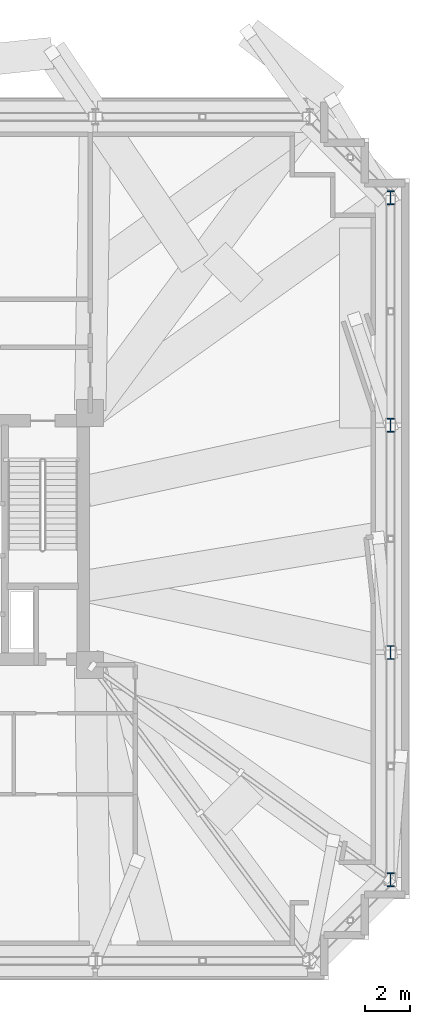
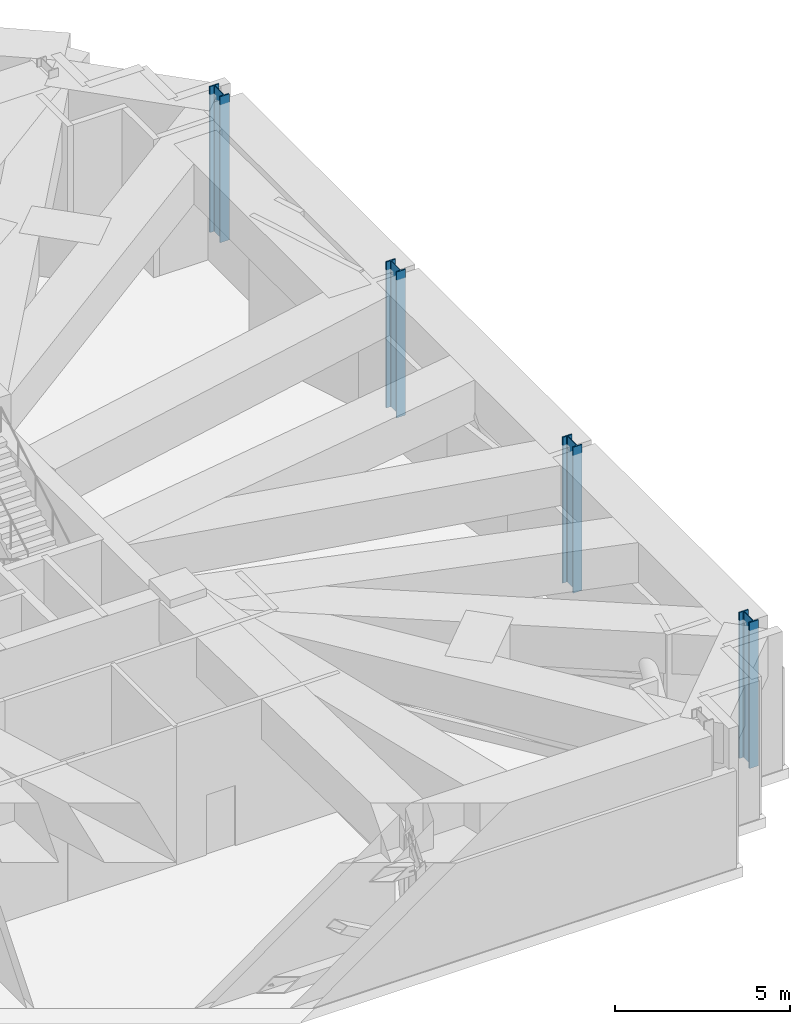
# One storey, part 3 of 20: 4 columns.
"""IFC4 building model written with IfcOpenShell, lengths in metres."""

from ifc_helpers import new_model, si_unit, direction, frame, origin, origin_2d, place, context, subcontext, project, spatial, i_section, extrude, material, material_profile, profile_set, type_object, element, save


model = new_model("IFC4")

# Units and contexts
model_context = context("Model", 3, precision=1e-05, world=origin(), true_north=direction((0.0, 1.0)))
body_context = subcontext(model_context, "Body", "Model", "MODEL_VIEW")
ifc_project = project(units=[si_unit("LENGTHUNIT", "METRE"), si_unit("AREAUNIT", "SQUARE_METRE"), si_unit("VOLUMEUNIT", "CUBIC_METRE"), si_unit("PLANEANGLEUNIT", "RADIAN"), si_unit("MASSUNIT", "GRAM", prefix="KILO")], contexts=[model_context])

# Site, building, storey
site_placement = place(None, origin())
site = spatial("IfcSite", under=ifc_project, at=site_placement, CompositionType="ELEMENT")
building_placement = place(site_placement, origin())
building = spatial("IfcBuilding", under=site, at=building_placement, Name="Qobustan Lattice House", CompositionType="ELEMENT")
storey_placement = place(building_placement, frame((0.0, 0.0, 73.89990234375)))
storey = spatial("IfcBuildingStorey", under=building, at=storey_placement, Name="L20", CompositionType="ELEMENT", Elevation=73.89990234375)

# Columns
ifc_material = material(Name="Steel S460", Category="steel")
ifc_material_profile = material_profile(ifc_material, i_section(OverallWidth=0.304931640625, OverallDepth=0.6201171875, WebThickness=0.02099609375, FlangeThickness=0.0400390625, FilletRadius=0.027099609375, at=origin_2d()), Name="HEM600")
ifc_profile_set = profile_set([ifc_material_profile], Name="Steel S460")
column_type = type_object("IfcColumnType", Name="COL-ST-HEM600", PredefinedType="COLUMN", material=ifc_profile_set)
for number, where, z_axis, x_axis, name in (
    (1, (32.14990234375, -15.14990234375, 0.0), (0.0, 0.0, 1.0), (1.0, 0.0, 0.0), "L20 B1 perimeter column E1"),
    (2, (32.14990234375, -5.050048828125, 0.0), (0.0, 0.0, 1.0), (1.0, 0.0, 0.0), "L20 B1 perimeter column E2"),
    (3, (32.14990234375, 5.050048828125, 0.0), (0.0, 0.0, 1.0), (1.0, 0.0, 0.0), "L20 B1 perimeter column E3"),
    (4, (32.14990234375, 15.14990234375, 0.0), (0.0, 0.0, 1.0), (1.0, 0.0, 0.0), "L20 B1 perimeter column E4"),
):
    element("IfcColumn", number, at=place(storey_placement, frame(where, z_axis=z_axis, x_axis=x_axis)), inside=storey, type_object=column_type, Name=name, PredefinedType="COLUMN", context=body_context, shape_type="SweptSolid", body=[
        extrude(i_section(OverallWidth=0.304931640625, OverallDepth=0.6201171875, WebThickness=0.02099609375, FlangeThickness=0.0400390625, FilletRadius=0.027099609375, at=origin_2d()), origin(), (0.0, 0.0, 1.0), 5.10009765625),
    ])

save(model, "model.ifc")
